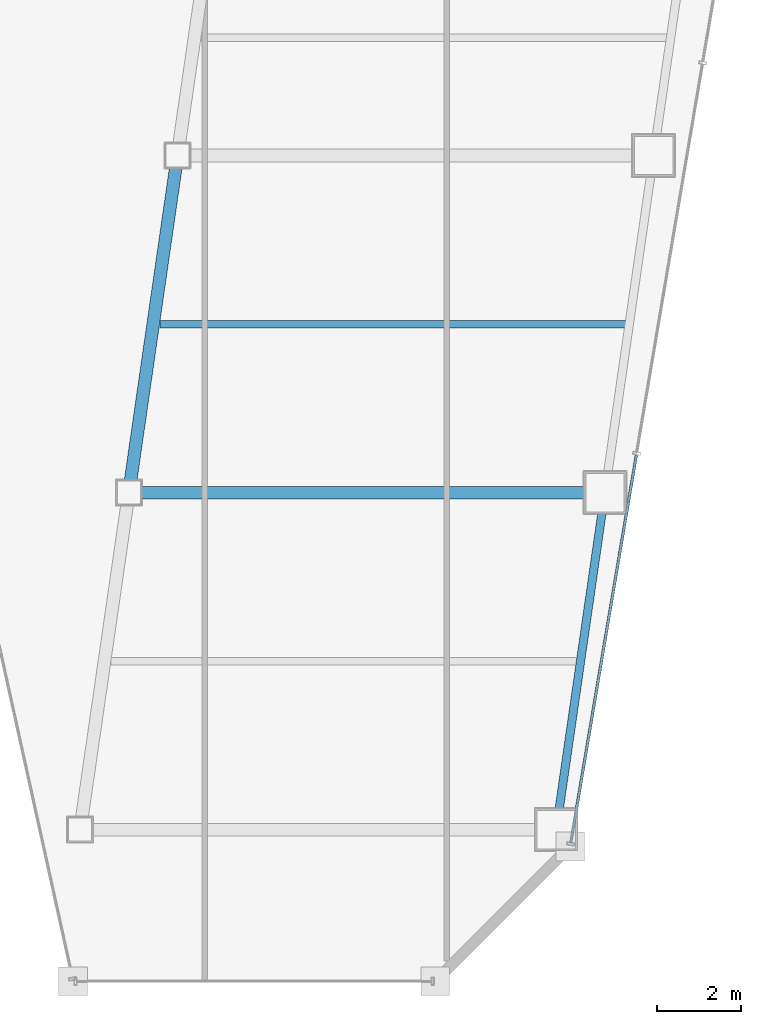
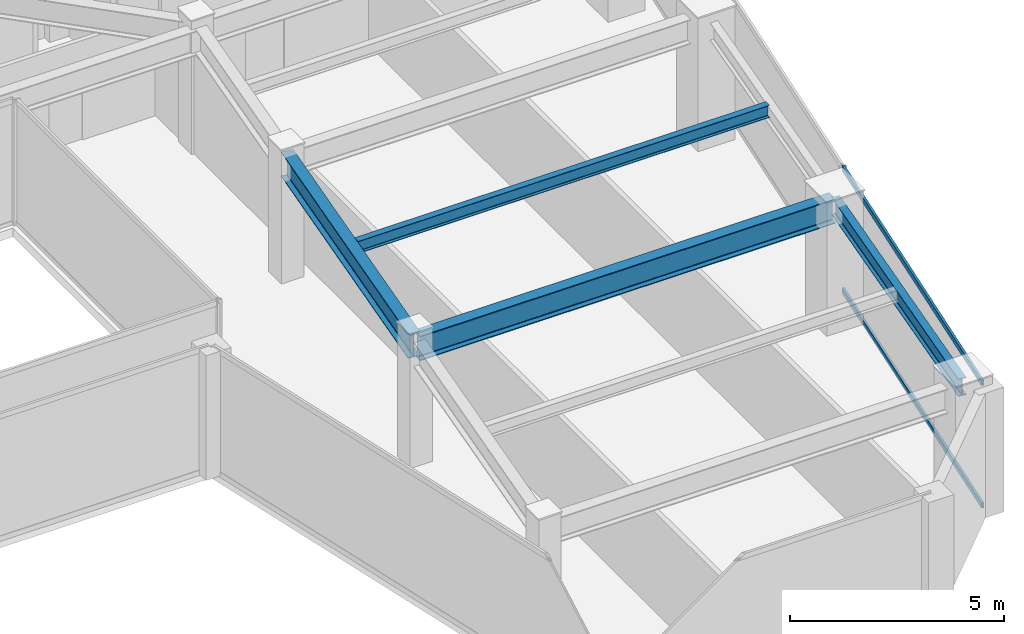
# One storey, part 18 of 35: 4 beams, 2 members, 1 element without a shape of its own.
"""IFC4 building model written with IfcOpenShell, lengths in metres."""

from ifc_helpers import new_model, si_unit, direction, frame, origin, origin_2d, place, context, subcontext, project, spatial, hollow_rectangle, i_section, extrude, material, material_profile, profile_set, type_object, element, aggregate, save


model = new_model("IFC4")

# Units and contexts
model_context = context("Model", 3, precision=1e-05, world=origin(), true_north=direction((0.0, 1.0)))
body_context = subcontext(model_context, "Body", "Model", "MODEL_VIEW")
ifc_project = project(units=[si_unit("LENGTHUNIT", "METRE"), si_unit("AREAUNIT", "SQUARE_METRE"), si_unit("VOLUMEUNIT", "CUBIC_METRE"), si_unit("PLANEANGLEUNIT", "RADIAN"), si_unit("MASSUNIT", "GRAM", prefix="KILO")], contexts=[model_context])

# Site, building, storey
site_placement = place(None, origin())
site = spatial("IfcSite", under=ifc_project, at=site_placement, CompositionType="ELEMENT")
building_placement = place(site_placement, origin())
building = spatial("IfcBuilding", under=site, at=building_placement, Name="Saevonmaru Cultural Tower", CompositionType="ELEMENT")
storey_placement = place(building_placement, frame((0.0, 0.0, 179.0)))
storey = spatial("IfcBuildingStorey", under=building, at=storey_placement, Name="L40", CompositionType="ELEMENT", Elevation=179.0)

# Beams
ifc_material_1 = material(Name="Steel SM355", Category="steel")
ifc_material_profile_1 = material_profile(ifc_material_1, i_section(OverallWidth=0.300048828125, OverallDepth=0.699951171875, WebThickness=0.012939453125, FlangeThickness=0.02392578125, FilletRadius=0.02587890625, at=origin_2d()), Name="H-700x300x13x24")
ifc_profile_set_1 = profile_set([ifc_material_profile_1], Name="Steel SM355")
beam_type_1 = type_object("IfcBeamType", Name="BM-G-H700", PredefinedType="BEAM", material=ifc_profile_set_1)
beam_1_placement = place(storey_placement, frame((39.236572265625, 24.059326171875, 3.199951171875), z_axis=(0.142902032203, 0.989736838353, 0.0), x_axis=(-0.989736838353, 0.142902032203, 0.0)))
element("IfcBeam", 1, at=beam_1_placement, inside=storey, type_object=beam_type_1, Name="L40 East Atrium Girder 2", PredefinedType="BEAM", context=body_context, shape_type="SweptSolid", body=[
    extrude(i_section(OverallWidth=0.300048828125, OverallDepth=0.699951171875, WebThickness=0.012939453125, FlangeThickness=0.02392578125, FilletRadius=0.02587890625, at=origin_2d()), origin(), (0.0, 0.0, 1.0), 7.963134765625),
])
beam_2_placement = place(storey_placement, frame((39.2880859375, 24.0, 3.199951171875), z_axis=(1.0, 0.0, 0.0), x_axis=(0.0, 1.0, 0.0)))
element("IfcBeam", 2, at=beam_2_placement, inside=storey, type_object=beam_type_1, Name="L40 East Wing Transverse Girder 2", PredefinedType="BEAM", context=body_context, shape_type="SweptSolid", body=[
    extrude(i_section(OverallWidth=0.300048828125, OverallDepth=0.699951171875, WebThickness=0.012939453125, FlangeThickness=0.02392578125, FilletRadius=0.02587890625, at=origin_2d()), origin(), (0.0, 0.0, 1.0), 11.179931640625),
])
ifc_material_profile_2 = material_profile(ifc_material_1, i_section(OverallWidth=0.175048828125, OverallDepth=0.35009765625, WebThickness=0.007080078125, FlangeThickness=0.010986328125, FilletRadius=0.012939453125, at=origin_2d()), Name="H-350x175x7x11")
ifc_profile_set_2 = profile_set([ifc_material_profile_2], Name="Steel SM355")
beam_type_2 = type_object("IfcBeamType", Name="BM-J-H350", PredefinedType="JOIST", material=ifc_profile_set_2)
beam_3_placement = place(storey_placement, frame((39.96337890625, 28.0, 3.375), z_axis=(1.0, 0.0, 0.0), x_axis=(0.0, 1.0, 0.0)))
element("IfcBeam", 3, at=beam_3_placement, inside=storey, type_object=beam_type_2, Name="L40 East Wing Floor Joist 2", PredefinedType="JOIST", context=body_context, shape_type="SweptSolid", body=[
    extrude(i_section(OverallWidth=0.175048828125, OverallDepth=0.35009765625, WebThickness=0.007080078125, FlangeThickness=0.010986328125, FilletRadius=0.012939453125, at=origin_2d()), origin(), (0.0, 0.0, 1.0), 11.08203125),
])
ifc_material_profile_3 = material_profile(ifc_material_1, i_section(OverallWidth=0.199951171875, OverallDepth=0.5, WebThickness=0.010009765625, FlangeThickness=0.01611328125, FilletRadius=0.02001953125, at=origin_2d()), Name="H-500x200x10x16")
ifc_profile_set_3 = profile_set([ifc_material_profile_3], Name="Steel SM355")
beam_type_3 = type_object("IfcBeamType", Name="BM-SP-H500", PredefinedType="SPANDREL", material=ifc_profile_set_3)
beam_4_placement = place(storey_placement, frame((49.380615234375, 16.059326171875, 3.300048828125), z_axis=(0.142992129437, 0.989723825579, 0.0), x_axis=(-0.989723825579, 0.142992129437, 0.0)))
element("IfcBeam", 4, at=beam_4_placement, inside=storey, type_object=beam_type_3, Name="L40 East Splayed Spandrel 1", PredefinedType="SPANDREL", context=body_context, shape_type="SweptSolid", body=[
    extrude(i_section(OverallWidth=0.199951171875, OverallDepth=0.5, WebThickness=0.010009765625, FlangeThickness=0.01611328125, FilletRadius=0.02001953125, at=origin_2d()), origin(), (0.0, 0.0, 1.0), 7.963134765625),
])

# Curtain wall, members
ifc_material_2 = material(Name="Satin Bronze Anodised Aluminium", Category="aluminium")
curtain_wall_type = type_object("IfcCurtainWallType", Name="CW-TYP-B", PredefinedType="NOTDEFINED", material=ifc_material_2)
curtain_wall_placement = place(storey_placement, origin())
curtain_wall = element("IfcCurtainWall", 5, at=curtain_wall_placement, inside=storey, type_object=curtain_wall_type, Name="L40 Unitised Curtain Wall E8", PredefinedType="NOTDEFINED")
ifc_material_profile_4 = material_profile(ifc_material_2, hollow_rectangle(XDim=0.06494140625, YDim=0.14990234375, WallThickness=0.00390625, at=origin_2d()), Name="ALU-TRAN-150x65x4")
ifc_profile_set_4 = profile_set([ifc_material_profile_4], Name="Satin Bronze Anodised Aluminium")
member_type = type_object("IfcMemberType", Name="TR-CW-150x65", PredefinedType="USERDEFINED", material=ifc_profile_set_4)
member_1_placement = place(storey_placement, frame((49.717529296875, 15.691162109375, 0.032470703125), z_axis=(0.166921263871, 0.985970228591, 0.0), x_axis=(-0.985970228591, 0.166921263871, 0.0)))
member_1 = element("IfcMember", 6, at=member_1_placement, type_object=member_type, Name="CW-TW-L40-E8 transom 1.1", ObjectType="TRANSOM", PredefinedType="USERDEFINED", context=body_context, shape_type="SweptSolid", body=[
    extrude(hollow_rectangle(XDim=0.06494140625, YDim=0.14990234375, WallThickness=0.00390625, at=origin_2d()), origin(), (0.0, 0.0, 1.0), 9.33740234375),
])
member_2_placement = place(storey_placement, frame((49.717529296875, 15.691162109375, 3.517578125), z_axis=(0.166921263871, 0.985970228591, 0.0), x_axis=(-0.985970228591, 0.166921263871, 0.0)))
member_2 = element("IfcMember", 7, at=member_2_placement, type_object=member_type, Name="CW-TW-L40-E8 transom 1.2", ObjectType="TRANSOM", PredefinedType="USERDEFINED", context=body_context, shape_type="SweptSolid", body=[
    extrude(hollow_rectangle(XDim=0.06494140625, YDim=0.14990234375, WallThickness=0.00390625, at=origin_2d()), origin(), (0.0, 0.0, 1.0), 9.33740234375),
])
aggregate(curtain_wall, [member_1, member_2])

save(model, "model.ifc")
